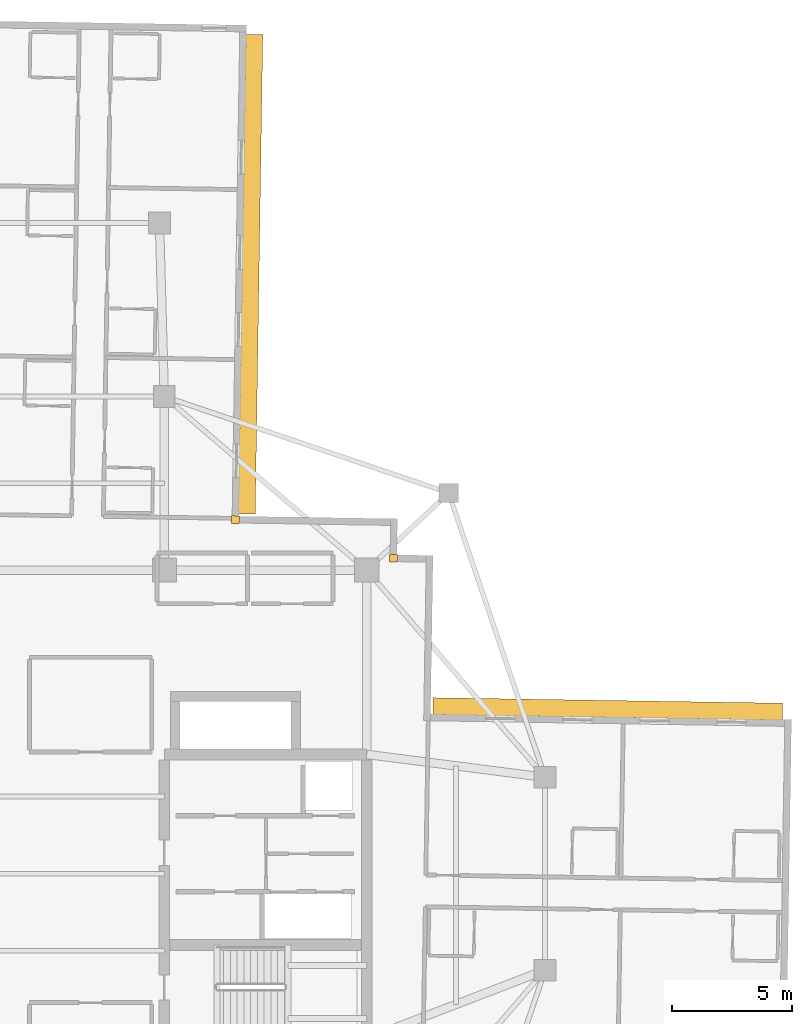
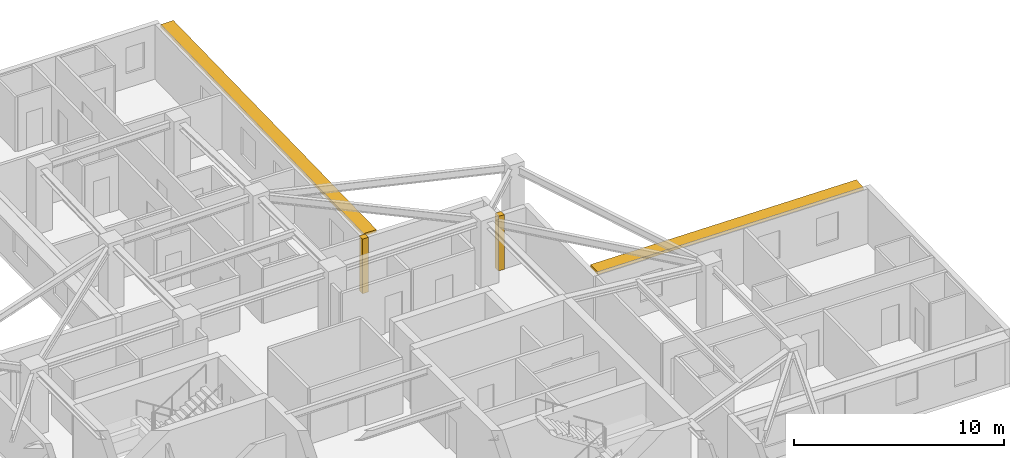
# One storey, part 13 of 13: 2 coverings, 2 shading devices.
"""IFC4 building model written with IfcOpenShell, lengths in metres."""

import ifcopenshell
import ifcopenshell.guid

model = None  # the IFC model being written
_history = None  # IfcOwnerHistory: only IFC2X3 demands one
_inside = {}  # id of a spatial element -> (the spatial element, [elements in it])
_under = {}  # id of a project, library or spatial element -> (it, [spatial elements below it])
_declared = {}  # id of a project -> (the project, [libraries it declares])
_typed = {}  # id of a type object -> (the type object, [elements of that type])
_made_of = {}  # id of a material, layer set ... -> (it, [elements and type objects made of it])


def new_model(schema):
    """Start an empty IFC model of exactly this schema.

    Asked for "IFC4X3", IfcOpenShell would pick the latest addendum, in which some entities
    have other attributes; the version numbers below select the first issue.
    IFC2X3 requires an IfcOwnerHistory on every rooted entity: one is made here for all.
    """
    global model, _history
    if schema == "IFC4X3":
        model = ifcopenshell.file(schema_version=(4, 3, 0, 0))
    else:
        model = ifcopenshell.file(schema=schema)
    _inside.clear()
    _under.clear()
    _declared.clear()
    _typed.clear()
    _made_of.clear()
    _history = None
    if model.schema == "IFC2X3":
        org = make("IfcOrganization", Name="unknown")
        user = make(
            "IfcPersonAndOrganization",
            ThePerson=make("IfcPerson", FamilyName="unknown"),
            TheOrganization=org,
        )
        app = make(
            "IfcApplication",
            ApplicationDeveloper=org,
            Version="unknown",
            ApplicationFullName="unknown",
            ApplicationIdentifier="unknown",
        )
        _history = make(
            "IfcOwnerHistory",
            OwningUser=user,
            OwningApplication=app,
            ChangeAction="ADDED",
            CreationDate=0,
        )
    return model


def make(cls, **values):
    """One entity of the class cls with the attributes given. An attribute that is None is left unset."""
    return model.create_entity(
        cls, **{name: value for name, value in values.items() if value is not None}
    )


def rooted(cls, **values):
    """An entity with a GlobalId (a new one), such as an element, a storey or a relation."""
    return make(cls, GlobalId=ifcopenshell.guid.new(), OwnerHistory=_history, **values)


def si_unit(unit_type, name, prefix=None):
    """IfcSIUnit, for example si_unit("LENGTHUNIT", "METRE", prefix="MILLI")."""
    return make("IfcSIUnit", UnitType=unit_type, Prefix=prefix, Name=name)


def assignment(units):
    """IfcUnitAssignment: the units of a project."""
    return None if units is None else make("IfcUnitAssignment", Units=units)


def point(xyz):
    """IfcCartesianPoint."""
    return None if xyz is None else make("IfcCartesianPoint", Coordinates=xyz)


def direction(xyz):
    """IfcDirection."""
    return None if xyz is None else make("IfcDirection", DirectionRatios=xyz)


def frame(location, z_axis=None, x_axis=None):
    """IfcAxis2Placement3D, a coordinate frame: its origin and axes. An axis left out is left unset."""
    return make(
        "IfcAxis2Placement3D",
        Location=point(location),
        Axis=direction(z_axis),
        RefDirection=direction(x_axis),
    )


def frame_2d(location, x_axis=None):
    """IfcAxis2Placement2D, a coordinate frame in the plane: its origin and x axis."""
    return make(
        "IfcAxis2Placement2D", Location=point(location), RefDirection=direction(x_axis)
    )


def origin():
    """The frame at (0, 0, 0) with its axes left unset."""
    return frame((0.0, 0.0, 0.0))


def origin_2d():
    """The frame at (0, 0) in the plane with its x axis left unset."""
    return frame_2d((0.0, 0.0))


def place(relative_to, where):
    """IfcLocalPlacement: puts the frame where relative to a parent placement (None: the world)."""
    return make(
        "IfcLocalPlacement", PlacementRelTo=relative_to, RelativePlacement=where
    )


def context(
    kind, dimensions, precision=None, world=None, true_north=None, identifier=None
):
    """IfcGeometricRepresentationContext, for example the 3D "Model" context."""
    return make(
        "IfcGeometricRepresentationContext",
        ContextIdentifier=identifier,
        ContextType=kind,
        CoordinateSpaceDimension=dimensions,
        Precision=precision,
        WorldCoordinateSystem=world,
        TrueNorth=true_north,
    )


def subcontext(parent, identifier, kind, view, scale=None):
    """IfcGeometricRepresentationSubContext, for example "Body" below "Model"."""
    return make(
        "IfcGeometricRepresentationSubContext",
        ContextIdentifier=identifier,
        ContextType=kind,
        ParentContext=parent,
        TargetScale=scale,
        TargetView=view,
    )


def project(units=None, contexts=None):
    """IfcProject with its units and contexts."""
    return rooted(
        "IfcProject",
        Name="project",
        RepresentationContexts=contexts,
        UnitsInContext=assignment(units),
    )


def spatial(cls, under=None, at=None, **own):
    """A site, building, storey or space (cls), placed at a placement, below another one or the project."""
    s = rooted(cls, ObjectPlacement=at, **own)
    if under is not None:
        _under.setdefault(under.id(), (under, []))[1].append(s)
    return s


def profile(cls, at=None, kind="AREA", **sizes):
    """A parametric profile (cls). Its sizes go by their IFC names, for example OverallWidth=200.0."""
    return make(cls, ProfileType=kind, Position=at, **sizes)


def rectangle(**sizes):
    """IfcRectangleProfileDef."""
    return profile("IfcRectangleProfileDef", **sizes)


def extrude(swept, where, along, depth):
    """IfcExtrudedAreaSolid: the profile swept, set in the frame where, extruded along a direction by depth."""
    return make(
        "IfcExtrudedAreaSolid",
        SweptArea=swept,
        Position=where,
        ExtrudedDirection=direction(along),
        Depth=depth,
    )


def shape(context_of_items, identifier, shape_type, items):
    """IfcShapeRepresentation: the items that make up one representation, for example the "Body"."""
    return make(
        "IfcShapeRepresentation",
        ContextOfItems=context_of_items,
        RepresentationIdentifier=identifier,
        RepresentationType=shape_type,
        Items=items,
    )


def material(Name=None, Category=None):
    """IfcMaterial."""
    return make("IfcMaterial", Name=Name, Category=Category)


def layer(
    of_material, thickness, ventilated=None, Name=None, Category=None, Priority=None
):
    """IfcMaterialLayer: one layer of a wall or slab, of a material (None: an air gap)."""
    return make(
        "IfcMaterialLayer",
        Material=of_material,
        LayerThickness=thickness,
        IsVentilated=ventilated,
        Name=Name,
        Category=Category,
        Priority=Priority,
    )


def layer_set(layers, Name=None):
    """IfcMaterialLayerSet."""
    return make("IfcMaterialLayerSet", MaterialLayers=layers, LayerSetName=Name)


def made_of(thing, what):
    """Note that an element or type object is made of a material, layer set ...; save() writes the relation."""
    if what is not None:
        _made_of.setdefault(what.id(), (what, []))[1].append(thing)
    return thing


def type_object(cls, material=None, **own):
    """A type object (cls), such as IfcWallType, which elements share."""
    return made_of(rooted(cls, **own), material)


def element(
    cls,
    number,
    at=None,
    inside=None,
    cuts=None,
    type_object=None,
    material=None,
    context=None,
    identifier="Body",
    shape_type=None,
    held_by="IfcProductDefinitionShape",
    body=None,
    shapes=None,
    **own,
):
    """One element of the class cls, such as IfcWall. Its Tag is "e" and its number.

    at: its placement. inside: the storey or other place that contains it. cuts: it is an
    opening in that element (IfcRelVoidsElement). A single representation is given by context,
    identifier, shape_type and body (its items); several are given by shapes. held_by: the class
    of the entity that holds the representations. save() writes the other relations.
    """
    e = rooted(cls, Tag="e%d" % number, ObjectPlacement=at, **own)
    if body is not None:
        shapes = [shape(context, identifier, shape_type, body)]
    if shapes is not None:
        e.Representation = make(held_by, Representations=shapes)
    if inside is not None:
        _inside.setdefault(inside.id(), (inside, []))[1].append(e)
    if cuts is not None:
        rooted(
            "IfcRelVoidsElement", RelatingBuildingElement=cuts, RelatedOpeningElement=e
        )
    if type_object is not None:
        _typed.setdefault(type_object.id(), (type_object, []))[1].append(e)
    return made_of(e, material)


def aggregate(whole, parts):
    """IfcRelAggregates: a whole, such as a stair, and the parts it consists of."""
    return rooted("IfcRelAggregates", RelatingObject=whole, RelatedObjects=parts)


def save(model, path):
    """Write the relations noted so far, then the file.

    IfcRelAggregates (storeys below a building ...), IfcRelContainedInSpatialStructure (elements
    in a storey), IfcRelDefinesByType, IfcRelAssociatesMaterial and IfcRelDeclares: one each for
    every whole, place, type object, material and project.
    """
    for whole, parts in _under.values():
        aggregate(whole, parts)
    for where, things in _inside.values():
        rooted(
            "IfcRelContainedInSpatialStructure",
            RelatedElements=things,
            RelatingStructure=where,
        )
    for kind, things in _typed.values():
        rooted("IfcRelDefinesByType", RelatedObjects=things, RelatingType=kind)
    for what, things in _made_of.values():
        rooted("IfcRelAssociatesMaterial", RelatedObjects=things, RelatingMaterial=what)
    for by, libraries in _declared.values():
        rooted("IfcRelDeclares", RelatingContext=by, RelatedDefinitions=libraries)
    model.write(path)


model = new_model("IFC4")

# Units and contexts
model_context = context("Model", 3, precision=1e-05, world=origin(), true_north=direction((0.0, 1.0)))
body_context = subcontext(model_context, "Body", "Model", "MODEL_VIEW")
ifc_project = project(units=[si_unit("LENGTHUNIT", "METRE"), si_unit("AREAUNIT", "SQUARE_METRE"), si_unit("VOLUMEUNIT", "CUBIC_METRE"), si_unit("PLANEANGLEUNIT", "RADIAN"), si_unit("MASSUNIT", "GRAM", prefix="KILO")], contexts=[model_context])

# Site, building, storey
site_placement = place(None, origin())
site = spatial("IfcSite", under=ifc_project, at=site_placement, CompositionType="ELEMENT")
building_placement = place(site_placement, origin())
building = spatial("IfcBuilding", under=site, at=building_placement, Name="Qingluan Cross Belvedere", CompositionType="ELEMENT")
storey_placement = place(building_placement, frame((0.0, 0.0, 228.60009765625)))
storey = spatial("IfcBuildingStorey", under=building, at=storey_placement, Name="L57", CompositionType="ELEMENT", Elevation=228.60009765625)

# Coverings
ifc_material_1 = material(Name="Precast concrete C45", Category="concrete")
ifc_layer_1 = layer(ifc_material_1, 0.1201171875, Name="ConcreteSpandrelCladding_120")
ifc_layer_set_1 = layer_set([ifc_layer_1], Name="Precast concrete C45")
covering_type = type_object("IfcCoveringType", Name="ConcreteSpandrelCladding_120", PredefinedType="CLADDING", material=ifc_layer_set_1)
for number, where, z_axis, x_axis, name in (
    (1, (13.50732421875, 13.089599609375, 0.0), (0.0, 0.0, 1.0), (0.999876632482, -0.015707317312, 0.0), "Corner closure L57-NE1"),
    (2, (6.95166015625, 14.692626953125, 0.0), (0.0, 0.0, 1.0), (0.999876632482, -0.015707317312, 0.0), "Corner closure L57-NE2"),
):
    element("IfcCovering", number, at=place(storey_placement, frame(where, z_axis=z_axis, x_axis=x_axis)), inside=storey, type_object=covering_type, Name=name, PredefinedType="CLADDING", context=body_context, shape_type="SweptSolid", body=[
        extrude(rectangle(XDim=0.320068359375, YDim=0.320068359375, at=origin_2d()), origin(), (0.0, 0.0, 1.0), 3.179931640625),
    ])

# Shading devices
ifc_material_2 = material(Name="Precast concrete C45", Category="concrete")
ifc_layer_2 = layer(ifc_material_2, 0.139892578125, Name="ConcreteSunshadeBand_700")
ifc_layer_set_2 = layer_set([ifc_layer_2], Name="Precast concrete C45")
shading_device_type = type_object("IfcShadingDeviceType", Name="ConcreteSunshadeBand_700", PredefinedType="USERDEFINED", material=ifc_layer_set_2)
shading_device_1_placement = place(storey_placement, frame((22.400146484375, 6.839111328125, 3.0), z_axis=(0.0, 0.0, 1.0), x_axis=(-0.999876630106, 0.015707468526, 0.0)))
element("IfcShadingDevice", 3, at=shading_device_1_placement, inside=storey, type_object=shading_device_type, Name="Concrete SUNSHADE L57-EB", ObjectType="SUNSHADE", PredefinedType="USERDEFINED", context=body_context, shape_type="SweptSolid", body=[
    extrude(rectangle(XDim=14.5, YDim=0.699951171875, at=origin_2d()), origin(), (0.0, 0.0, 1.0), 0.159912109375),
])
shading_device_2_placement = place(storey_placement, frame((7.58154296875, 24.8740234375, 3.0), z_axis=(0.0, 0.0, 1.0), x_axis=(0.015711457647, 0.999876567432, 0.0)))
element("IfcShadingDevice", 4, at=shading_device_2_placement, inside=storey, type_object=shading_device_type, Name="Concrete SUNSHADE L57-NA", ObjectType="SUNSHADE", PredefinedType="USERDEFINED", context=body_context, shape_type="SweptSolid", body=[
    extrude(rectangle(XDim=19.89990234375, YDim=0.699951171875, at=origin_2d()), origin(), (0.0, 0.0, 1.0), 0.159912109375),
])

save(model, "model.ifc")
